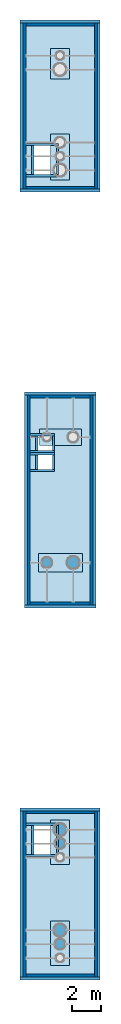
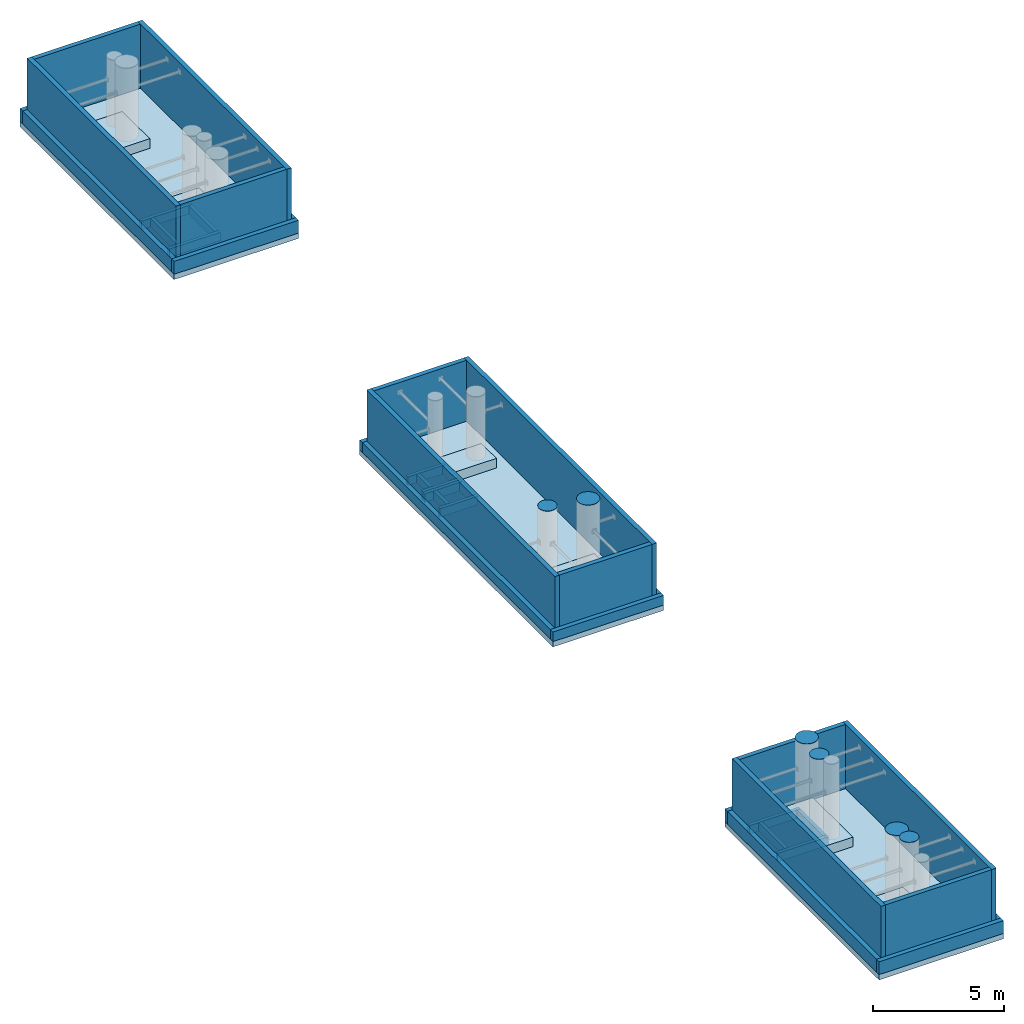
# One storey, part 3 of 7: 40 walls, 9 slabs, 6 discrete accessories.
"""IFC4 building model written with IfcOpenShell, lengths in metres."""

import ifcopenshell
import ifcopenshell.guid

model = None  # the IFC model being written
_history = None  # IfcOwnerHistory: only IFC2X3 demands one
_inside = {}  # id of a spatial element -> (the spatial element, [elements in it])
_under = {}  # id of a project, library or spatial element -> (it, [spatial elements below it])
_declared = {}  # id of a project -> (the project, [libraries it declares])
_typed = {}  # id of a type object -> (the type object, [elements of that type])
_made_of = {}  # id of a material, layer set ... -> (it, [elements and type objects made of it])


def new_model(schema):
    """Start an empty IFC model of exactly this schema.

    Asked for "IFC4X3", IfcOpenShell would pick the latest addendum, in which some entities
    have other attributes; the version numbers below select the first issue.
    IFC2X3 requires an IfcOwnerHistory on every rooted entity: one is made here for all.
    """
    global model, _history
    if schema == "IFC4X3":
        model = ifcopenshell.file(schema_version=(4, 3, 0, 0))
    else:
        model = ifcopenshell.file(schema=schema)
    _inside.clear()
    _under.clear()
    _declared.clear()
    _typed.clear()
    _made_of.clear()
    _history = None
    if model.schema == "IFC2X3":
        org = make("IfcOrganization", Name="unknown")
        user = make(
            "IfcPersonAndOrganization",
            ThePerson=make("IfcPerson", FamilyName="unknown"),
            TheOrganization=org,
        )
        app = make(
            "IfcApplication",
            ApplicationDeveloper=org,
            Version="unknown",
            ApplicationFullName="unknown",
            ApplicationIdentifier="unknown",
        )
        _history = make(
            "IfcOwnerHistory",
            OwningUser=user,
            OwningApplication=app,
            ChangeAction="ADDED",
            CreationDate=0,
        )
    return model


def make(cls, **values):
    """One entity of the class cls with the attributes given. An attribute that is None is left unset."""
    return model.create_entity(
        cls, **{name: value for name, value in values.items() if value is not None}
    )


def rooted(cls, **values):
    """An entity with a GlobalId (a new one), such as an element, a storey or a relation."""
    return make(cls, GlobalId=ifcopenshell.guid.new(), OwnerHistory=_history, **values)


def si_unit(unit_type, name, prefix=None):
    """IfcSIUnit, for example si_unit("LENGTHUNIT", "METRE", prefix="MILLI")."""
    return make("IfcSIUnit", UnitType=unit_type, Prefix=prefix, Name=name)


def assignment(units):
    """IfcUnitAssignment: the units of a project."""
    return None if units is None else make("IfcUnitAssignment", Units=units)


def point(xyz):
    """IfcCartesianPoint."""
    return None if xyz is None else make("IfcCartesianPoint", Coordinates=xyz)


def direction(xyz):
    """IfcDirection."""
    return None if xyz is None else make("IfcDirection", DirectionRatios=xyz)


def frame(location, z_axis=None, x_axis=None):
    """IfcAxis2Placement3D, a coordinate frame: its origin and axes. An axis left out is left unset."""
    return make(
        "IfcAxis2Placement3D",
        Location=point(location),
        Axis=direction(z_axis),
        RefDirection=direction(x_axis),
    )


def frame_2d(location, x_axis=None):
    """IfcAxis2Placement2D, a coordinate frame in the plane: its origin and x axis."""
    return make(
        "IfcAxis2Placement2D", Location=point(location), RefDirection=direction(x_axis)
    )


def origin():
    """The frame at (0, 0, 0) with its axes left unset."""
    return frame((0.0, 0.0, 0.0))


def place(relative_to, where):
    """IfcLocalPlacement: puts the frame where relative to a parent placement (None: the world)."""
    return make(
        "IfcLocalPlacement", PlacementRelTo=relative_to, RelativePlacement=where
    )


def context(
    kind, dimensions, precision=None, world=None, true_north=None, identifier=None
):
    """IfcGeometricRepresentationContext, for example the 3D "Model" context."""
    return make(
        "IfcGeometricRepresentationContext",
        ContextIdentifier=identifier,
        ContextType=kind,
        CoordinateSpaceDimension=dimensions,
        Precision=precision,
        WorldCoordinateSystem=world,
        TrueNorth=true_north,
    )


def subcontext(parent, identifier, kind, view, scale=None):
    """IfcGeometricRepresentationSubContext, for example "Body" below "Model"."""
    return make(
        "IfcGeometricRepresentationSubContext",
        ContextIdentifier=identifier,
        ContextType=kind,
        ParentContext=parent,
        TargetScale=scale,
        TargetView=view,
    )


def project(units=None, contexts=None):
    """IfcProject with its units and contexts."""
    return rooted(
        "IfcProject",
        Name="project",
        RepresentationContexts=contexts,
        UnitsInContext=assignment(units),
    )


def spatial(cls, under=None, at=None, **own):
    """A site, building, storey or space (cls), placed at a placement, below another one or the project."""
    s = rooted(cls, ObjectPlacement=at, **own)
    if under is not None:
        _under.setdefault(under.id(), (under, []))[1].append(s)
    return s


def polyline(points):
    """IfcPolyline through the points."""
    return make("IfcPolyline", Points=[point(p) for p in points])


def profile(cls, at=None, kind="AREA", **sizes):
    """A parametric profile (cls). Its sizes go by their IFC names, for example OverallWidth=200.0."""
    return make(cls, ProfileType=kind, Position=at, **sizes)


def rectangle(**sizes):
    """IfcRectangleProfileDef."""
    return profile("IfcRectangleProfileDef", **sizes)


def outline(outer, holes=None, kind="AREA"):
    """IfcArbitraryClosedProfileDef: a profile drawn as a closed curve; with holes, ...WithVoids."""
    if holes is None:
        return make("IfcArbitraryClosedProfileDef", ProfileType=kind, OuterCurve=outer)
    return make(
        "IfcArbitraryProfileDefWithVoids",
        ProfileType=kind,
        OuterCurve=outer,
        InnerCurves=holes,
    )


def extrude(swept, where, along, depth):
    """IfcExtrudedAreaSolid: the profile swept, set in the frame where, extruded along a direction by depth."""
    return make(
        "IfcExtrudedAreaSolid",
        SweptArea=swept,
        Position=where,
        ExtrudedDirection=direction(along),
        Depth=depth,
    )


def shape(context_of_items, identifier, shape_type, items):
    """IfcShapeRepresentation: the items that make up one representation, for example the "Body"."""
    return make(
        "IfcShapeRepresentation",
        ContextOfItems=context_of_items,
        RepresentationIdentifier=identifier,
        RepresentationType=shape_type,
        Items=items,
    )


def material(Name=None, Category=None):
    """IfcMaterial."""
    return make("IfcMaterial", Name=Name, Category=Category)


def layer(
    of_material, thickness, ventilated=None, Name=None, Category=None, Priority=None
):
    """IfcMaterialLayer: one layer of a wall or slab, of a material (None: an air gap)."""
    return make(
        "IfcMaterialLayer",
        Material=of_material,
        LayerThickness=thickness,
        IsVentilated=ventilated,
        Name=Name,
        Category=Category,
        Priority=Priority,
    )


def layer_set(layers, Name=None):
    """IfcMaterialLayerSet."""
    return make("IfcMaterialLayerSet", MaterialLayers=layers, LayerSetName=Name)


def made_of(thing, what):
    """Note that an element or type object is made of a material, layer set ...; save() writes the relation."""
    if what is not None:
        _made_of.setdefault(what.id(), (what, []))[1].append(thing)
    return thing


def type_object(cls, material=None, **own):
    """A type object (cls), such as IfcWallType, which elements share."""
    return made_of(rooted(cls, **own), material)


def element(
    cls,
    number,
    at=None,
    inside=None,
    cuts=None,
    type_object=None,
    material=None,
    context=None,
    identifier="Body",
    shape_type=None,
    held_by="IfcProductDefinitionShape",
    body=None,
    shapes=None,
    **own,
):
    """One element of the class cls, such as IfcWall. Its Tag is "e" and its number.

    at: its placement. inside: the storey or other place that contains it. cuts: it is an
    opening in that element (IfcRelVoidsElement). A single representation is given by context,
    identifier, shape_type and body (its items); several are given by shapes. held_by: the class
    of the entity that holds the representations. save() writes the other relations.
    """
    e = rooted(cls, Tag="e%d" % number, ObjectPlacement=at, **own)
    if body is not None:
        shapes = [shape(context, identifier, shape_type, body)]
    if shapes is not None:
        e.Representation = make(held_by, Representations=shapes)
    if inside is not None:
        _inside.setdefault(inside.id(), (inside, []))[1].append(e)
    if cuts is not None:
        rooted(
            "IfcRelVoidsElement", RelatingBuildingElement=cuts, RelatedOpeningElement=e
        )
    if type_object is not None:
        _typed.setdefault(type_object.id(), (type_object, []))[1].append(e)
    return made_of(e, material)


def aggregate(whole, parts):
    """IfcRelAggregates: a whole, such as a stair, and the parts it consists of."""
    return rooted("IfcRelAggregates", RelatingObject=whole, RelatedObjects=parts)


def save(model, path):
    """Write the relations noted so far, then the file.

    IfcRelAggregates (storeys below a building ...), IfcRelContainedInSpatialStructure (elements
    in a storey), IfcRelDefinesByType, IfcRelAssociatesMaterial and IfcRelDeclares: one each for
    every whole, place, type object, material and project.
    """
    for whole, parts in _under.values():
        aggregate(whole, parts)
    for where, things in _inside.values():
        rooted(
            "IfcRelContainedInSpatialStructure",
            RelatedElements=things,
            RelatingStructure=where,
        )
    for kind, things in _typed.values():
        rooted("IfcRelDefinesByType", RelatedObjects=things, RelatingType=kind)
    for what, things in _made_of.values():
        rooted("IfcRelAssociatesMaterial", RelatedObjects=things, RelatingMaterial=what)
    for by, libraries in _declared.values():
        rooted("IfcRelDeclares", RelatingContext=by, RelatedDefinitions=libraries)
    model.write(path)


model = new_model("IFC4")

# Units and contexts
model_context = context("Model", 3, precision=1e-05, world=origin(), true_north=direction((0.0, 1.0)))
body_context = subcontext(model_context, "Body", "Model", "MODEL_VIEW")
ifc_project = project(units=[si_unit("LENGTHUNIT", "METRE"), si_unit("AREAUNIT", "SQUARE_METRE"), si_unit("VOLUMEUNIT", "CUBIC_METRE"), si_unit("PLANEANGLEUNIT", "RADIAN"), si_unit("MASSUNIT", "GRAM", prefix="KILO")], contexts=[model_context])

# Site, building, storey
site_placement = place(None, origin())
site = spatial("IfcSite", under=ifc_project, at=site_placement, CompositionType="ELEMENT")
building_placement = place(site_placement, origin())
building = spatial("IfcBuilding", under=site, at=building_placement, Name="Basin Gate Institute", CompositionType="ELEMENT")
storey_placement = place(building_placement, frame((0.0, 0.0, 78.60009765625)))
storey = spatial("IfcBuildingStorey", under=building, at=storey_placement, Name="UPPER ROOF", CompositionType="ELEMENT", Elevation=78.60009765625)

# Slabs
ifc_material_1 = material(Name="Concrete 40 MPa", Category="concrete")
ifc_layer_1 = layer(ifc_material_1, 0.449951171875)
ifc_layer_set_1 = layer_set([ifc_layer_1], Name="Concrete 40 MPa")
slab_type_1 = type_object("IfcSlabType", Name="Exhaust pipe plinth PL4 R60", PredefinedType="ROOF", material=ifc_layer_set_1)
slab_1_placement = place(storey_placement, frame((0.0, 0.0, 0.25)))
element("IfcSlab", 1, at=slab_1_placement, inside=storey, type_object=slab_type_1, material=ifc_layer_set_1, Name="Exhaust pipe plinth PL4 WS 1", PredefinedType="ROOF", context=body_context, shape_type="SweptSolid", body=[
    extrude(outline(polyline([(62.800048828125, 35.60009765625), (64.10009765625, 35.60009765625), (64.10009765625, 38.64990234375), (62.800048828125, 38.64990234375), (62.800048828125, 35.60009765625)])), origin(), (0.0, 0.0, 1.0), 0.449951171875),
])
slab_2_placement = place(storey_placement, frame((0.0, 0.0, 0.25)))
element("IfcSlab", 2, at=slab_2_placement, inside=storey, type_object=slab_type_1, material=ifc_layer_set_1, Name="Exhaust pipe plinth PL4 WS 2", PredefinedType="ROOF", context=body_context, shape_type="SweptSolid", body=[
    extrude(outline(polyline([(62.800048828125, 42.5), (64.10009765625, 42.5), (64.10009765625, 45.550048828125), (62.800048828125, 45.550048828125), (62.800048828125, 42.5)])), origin(), (0.0, 0.0, 1.0), 0.449951171875),
])
slab_3_placement = place(storey_placement, frame((0.0, 0.0, 0.25)))
element("IfcSlab", 3, at=slab_3_placement, inside=storey, type_object=slab_type_1, material=ifc_layer_set_1, Name="Exhaust pipe plinth PL4 WM 1", PredefinedType="ROOF", context=body_context, shape_type="SweptSolid", body=[
    extrude(outline(polyline([(61.97509765625, 62.550048828125), (65.0, 62.550048828125), (65.0, 63.85009765625), (61.97509765625, 63.85009765625), (61.97509765625, 62.550048828125)])), origin(), (0.0, 0.0, 1.0), 0.449951171875),
])
slab_4_placement = place(storey_placement, frame((0.0, 0.0, 0.25)))
element("IfcSlab", 4, at=slab_4_placement, inside=storey, type_object=slab_type_1, material=ifc_layer_set_1, Name="Exhaust pipe plinth PL4 WM 2", PredefinedType="ROOF", context=body_context, shape_type="SweptSolid", body=[
    extrude(outline(polyline([(62.050048828125, 71.22509765625), (64.925048828125, 71.22509765625), (64.925048828125, 72.375), (62.050048828125, 72.375), (62.050048828125, 71.22509765625)])), origin(), (0.0, 0.0, 1.0), 0.449951171875),
])
slab_5_placement = place(storey_placement, frame((0.0, 0.0, 0.25)))
element("IfcSlab", 5, at=slab_5_placement, inside=storey, type_object=slab_type_1, material=ifc_layer_set_1, Name="Exhaust pipe plinth PL4 WN 1", PredefinedType="ROOF", context=body_context, shape_type="SweptSolid", body=[
    extrude(outline(polyline([(62.800048828125, 89.449951171875), (64.10009765625, 89.449951171875), (64.10009765625, 92.574951171875), (62.800048828125, 92.574951171875), (62.800048828125, 89.449951171875)])), origin(), (0.0, 0.0, 1.0), 0.449951171875),
])
slab_6_placement = place(storey_placement, frame((0.0, 0.0, 0.25)))
element("IfcSlab", 6, at=slab_6_placement, inside=storey, type_object=slab_type_1, material=ifc_layer_set_1, Name="Exhaust pipe plinth PL4 WN 2", PredefinedType="ROOF", context=body_context, shape_type="SweptSolid", body=[
    extrude(outline(polyline([(62.800048828125, 96.35009765625), (64.10009765625, 96.35009765625), (64.10009765625, 98.449951171875), (62.800048828125, 98.449951171875), (62.800048828125, 96.35009765625)])), origin(), (0.0, 0.0, 1.0), 0.449951171875),
])
ifc_material_2 = material(Name="Concrete 40 MPa", Category="concrete")
ifc_layer_2 = layer(ifc_material_2, 0.25)
ifc_layer_set_2 = layer_set([ifc_layer_2], Name="Concrete 40 MPa")
slab_type_2 = type_object("IfcSlabType", Name="Stack cap slab RS6 R60", PredefinedType="ROOF", material=ifc_layer_set_2)
slab_7_placement = place(storey_placement, origin())
element("IfcSlab", 7, at=slab_7_placement, inside=storey, type_object=slab_type_2, material=ifc_layer_set_2, Name="Stack cap slab RS6 WS", PredefinedType="ROOF", context=body_context, shape_type="SweptSolid", body=[
    extrude(outline(polyline([(66.199951171875, 34.60009765625), (60.699951171875, 34.60009765625), (60.699951171875, 46.39990234375), (66.199951171875, 46.39990234375), (66.199951171875, 34.60009765625)]), holes=[polyline([(61.64990234375, 43.199951171875), (63.199951171875, 43.199951171875), (63.199951171875, 45.199951171875), (61.64990234375, 45.199951171875), (61.64990234375, 43.199951171875)])]), origin(), (0.0, 0.0, 1.0), 0.25),
])
slab_8_placement = place(storey_placement, origin())
element("IfcSlab", 8, at=slab_8_placement, inside=storey, type_object=slab_type_2, material=ifc_layer_set_2, Name="Stack cap slab RS6 WM", PredefinedType="ROOF", context=body_context, shape_type="SweptSolid", body=[
    extrude(outline(polyline([(65.89990234375, 60.10009765625), (61.0, 60.10009765625), (61.0, 74.89990234375), (65.89990234375, 74.89990234375), (65.89990234375, 60.10009765625)]), holes=[polyline([(61.925048828125, 69.60009765625), (62.925048828125, 69.60009765625), (62.925048828125, 70.60009765625), (61.925048828125, 70.60009765625), (61.925048828125, 69.60009765625)]), polyline([(61.925048828125, 70.89990234375), (62.925048828125, 70.89990234375), (62.925048828125, 71.89990234375), (61.925048828125, 71.89990234375), (61.925048828125, 70.89990234375)])]), origin(), (0.0, 0.0, 1.0), 0.25),
])
slab_9_placement = place(storey_placement, origin())
element("IfcSlab", 9, at=slab_9_placement, inside=storey, type_object=slab_type_2, material=ifc_layer_set_2, Name="Stack cap slab RS6 WN", PredefinedType="ROOF", context=body_context, shape_type="SweptSolid", body=[
    extrude(outline(polyline([(66.199951171875, 88.60009765625), (60.699951171875, 88.60009765625), (60.699951171875, 100.39990234375), (66.199951171875, 100.39990234375), (66.199951171875, 88.60009765625)]), holes=[polyline([(61.64990234375, 89.800048828125), (63.199951171875, 89.800048828125), (63.199951171875, 91.800048828125), (61.64990234375, 91.800048828125), (61.64990234375, 89.800048828125)])]), origin(), (0.0, 0.0, 1.0), 0.25),
])

# Walls
ifc_material_3 = material(Name="Insulated aluminium louvre panel", Category="aluminium")
ifc_layer_3 = layer(ifc_material_3, 0.199951171875)
ifc_layer_set_3 = layer_set([ifc_layer_3], Name="Exhaust enclosure panel XS1")
wall_type_1 = type_object("IfcWallType", Name="Exhaust enclosure panel XS1", PredefinedType="SOLIDWALL", material=ifc_layer_set_3)
for number, where, z_axis, x_axis, name in (
    (10, (65.89990234375, 34.800048828125, 0.25), (0.0, 0.0, 1.0), (0.0, 1.0, 0.0), "Exhaust enclosure panel XS1 WS E"),
    (11, (61.0, 34.800048828125, 0.25), (0.0, 0.0, 1.0), (0.0, 1.0, 0.0), "Exhaust enclosure panel XS1 WS W"),
):
    element("IfcWall", number, at=place(storey_placement, frame(where, z_axis=z_axis, x_axis=x_axis)), inside=storey, type_object=wall_type_1, material=ifc_layer_set_3, Name=name, PredefinedType="SOLIDWALL", context=body_context, shape_type="SweptSolid", body=[
        extrude(rectangle(XDim=11.39990234375, YDim=0.199951171875, at=frame_2d((5.699951171875, 0.0))), origin(), (0.0, 0.0, 1.0), 3.0),
    ])
for number, where, z_axis, x_axis, name in (
    (12, (61.10009765625, 46.10009765625, 0.25), (0.0, 0.0, 1.0), (1.0, 0.0, 0.0), "Exhaust enclosure panel XS1 WS N"),
    (13, (61.10009765625, 34.89990234375, 0.25), (0.0, 0.0, 1.0), (1.0, 0.0, 0.0), "Exhaust enclosure panel XS1 WS S"),
):
    element("IfcWall", number, at=place(storey_placement, frame(where, z_axis=z_axis, x_axis=x_axis)), inside=storey, type_object=wall_type_1, material=ifc_layer_set_3, Name=name, PredefinedType="SOLIDWALL", context=body_context, shape_type="SweptSolid", body=[
        extrude(rectangle(XDim=4.699951171875, YDim=0.199951171875, at=frame_2d((2.35009765625, 0.0))), origin(), (0.0, 0.0, 1.0), 3.0),
    ])
for number, where, z_axis, x_axis, name in (
    (14, (65.60009765625, 60.300048828125, 0.25), (0.0, 0.0, 1.0), (0.0, 1.0, 0.0), "Exhaust enclosure panel XS1 WM E"),
    (15, (61.300048828125, 60.300048828125, 0.25), (0.0, 0.0, 1.0), (0.0, 1.0, 0.0), "Exhaust enclosure panel XS1 WM W"),
):
    element("IfcWall", number, at=place(storey_placement, frame(where, z_axis=z_axis, x_axis=x_axis)), inside=storey, type_object=wall_type_1, material=ifc_layer_set_3, Name=name, PredefinedType="SOLIDWALL", context=body_context, shape_type="SweptSolid", body=[
        extrude(rectangle(XDim=14.39990234375, YDim=0.199951171875, at=frame_2d((7.199951171875, 0.0))), origin(), (0.0, 0.0, 1.0), 2.849853515625),
    ])
for number, where, z_axis, x_axis, name in (
    (16, (61.39990234375, 74.60009765625, 0.25), (0.0, 0.0, 1.0), (1.0, 0.0, 0.0), "Exhaust enclosure panel XS1 WM N"),
    (17, (61.39990234375, 60.39990234375, 0.25), (0.0, 0.0, 1.0), (1.0, 0.0, 0.0), "Exhaust enclosure panel XS1 WM S"),
):
    element("IfcWall", number, at=place(storey_placement, frame(where, z_axis=z_axis, x_axis=x_axis)), inside=storey, type_object=wall_type_1, material=ifc_layer_set_3, Name=name, PredefinedType="SOLIDWALL", context=body_context, shape_type="SweptSolid", body=[
        extrude(rectangle(XDim=4.10009765625, YDim=0.199951171875, at=frame_2d((2.050048828125, 0.0))), origin(), (0.0, 0.0, 1.0), 2.849853515625),
    ])
for number, where, z_axis, x_axis, name in (
    (18, (65.89990234375, 88.800048828125, 0.25), (0.0, 0.0, 1.0), (0.0, 1.0, 0.0), "Exhaust enclosure panel XS1 WN E"),
    (19, (61.0, 88.800048828125, 0.25), (0.0, 0.0, 1.0), (0.0, 1.0, 0.0), "Exhaust enclosure panel XS1 WN W"),
):
    element("IfcWall", number, at=place(storey_placement, frame(where, z_axis=z_axis, x_axis=x_axis)), inside=storey, type_object=wall_type_1, material=ifc_layer_set_3, Name=name, PredefinedType="SOLIDWALL", context=body_context, shape_type="SweptSolid", body=[
        extrude(rectangle(XDim=11.39990234375, YDim=0.199951171875, at=frame_2d((5.699951171875, 0.0))), origin(), (0.0, 0.0, 1.0), 3.0),
    ])
for number, where, z_axis, x_axis, name in (
    (20, (61.10009765625, 100.10009765625, 0.25), (0.0, 0.0, 1.0), (1.0, 0.0, 0.0), "Exhaust enclosure panel XS1 WN N"),
    (21, (61.10009765625, 88.89990234375, 0.25), (0.0, 0.0, 1.0), (1.0, 0.0, 0.0), "Exhaust enclosure panel XS1 WN S"),
):
    element("IfcWall", number, at=place(storey_placement, frame(where, z_axis=z_axis, x_axis=x_axis)), inside=storey, type_object=wall_type_1, material=ifc_layer_set_3, Name=name, PredefinedType="SOLIDWALL", context=body_context, shape_type="SweptSolid", body=[
        extrude(rectangle(XDim=4.699951171875, YDim=0.199951171875, at=frame_2d((2.35009765625, 0.0))), origin(), (0.0, 0.0, 1.0), 3.0),
    ])
ifc_material_4 = material(Name="Concrete 40 MPa", Category="concrete")
ifc_layer_4 = layer(ifc_material_4, 0.199951171875)
ifc_layer_set_4 = layer_set([ifc_layer_4], Name="Concrete 40 MPa")
wall_type_2 = type_object("IfcWallType", Name="Parapet wall PA2", PredefinedType="PARAPET", material=ifc_layer_set_4)
wall_1_placement = place(storey_placement, frame((66.199951171875, 34.699951171875, 0.25), z_axis=(0.0, 0.0, 1.0), x_axis=(-1.0, 0.0, 0.0)))
element("IfcWall", 22, at=wall_1_placement, inside=storey, type_object=wall_type_2, material=ifc_layer_set_4, Name="Parapet wall PA2 UPPER ROOF WS1", PredefinedType="PARAPET", context=body_context, shape_type="SweptSolid", body=[
    extrude(rectangle(XDim=5.5, YDim=0.199951171875, at=frame_2d((2.75, 0.0))), origin(), (0.0, 0.0, 1.0), 0.599853515625),
])
wall_2_placement = place(storey_placement, frame((60.800048828125, 34.800048828125, 0.25), z_axis=(0.0, 0.0, 1.0), x_axis=(0.0, 1.0, 0.0)))
element("IfcWall", 23, at=wall_2_placement, inside=storey, type_object=wall_type_2, material=ifc_layer_set_4, Name="Parapet wall PA2 UPPER ROOF WS2", PredefinedType="PARAPET", context=body_context, shape_type="SweptSolid", body=[
    extrude(rectangle(XDim=11.39990234375, YDim=0.199951171875, at=frame_2d((5.699951171875, 0.0))), origin(), (0.0, 0.0, 1.0), 0.599853515625),
])
wall_3_placement = place(storey_placement, frame((60.699951171875, 46.300048828125, 0.25), z_axis=(0.0, 0.0, 1.0), x_axis=(1.0, 0.0, 0.0)))
element("IfcWall", 24, at=wall_3_placement, inside=storey, type_object=wall_type_2, material=ifc_layer_set_4, Name="Parapet wall PA2 UPPER ROOF WS3", PredefinedType="PARAPET", context=body_context, shape_type="SweptSolid", body=[
    extrude(rectangle(XDim=5.5, YDim=0.199951171875, at=frame_2d((2.75, 0.0))), origin(), (0.0, 0.0, 1.0), 0.599853515625),
])
wall_4_placement = place(storey_placement, frame((66.10009765625, 46.199951171875, 0.25), z_axis=(0.0, 0.0, 1.0), x_axis=(0.0, -1.0, 0.0)))
element("IfcWall", 25, at=wall_4_placement, inside=storey, type_object=wall_type_2, material=ifc_layer_set_4, Name="Parapet wall PA2 UPPER ROOF WS4", PredefinedType="PARAPET", context=body_context, shape_type="SweptSolid", body=[
    extrude(rectangle(XDim=11.39990234375, YDim=0.199951171875, at=frame_2d((5.699951171875, 0.0))), origin(), (0.0, 0.0, 1.0), 0.599853515625),
])
wall_5_placement = place(storey_placement, frame((66.199951171875, 88.699951171875, 0.25), z_axis=(0.0, 0.0, 1.0), x_axis=(-1.0, 0.0, 0.0)))
element("IfcWall", 26, at=wall_5_placement, inside=storey, type_object=wall_type_2, material=ifc_layer_set_4, Name="Parapet wall PA2 UPPER ROOF WN1", PredefinedType="PARAPET", context=body_context, shape_type="SweptSolid", body=[
    extrude(rectangle(XDim=5.5, YDim=0.199951171875, at=frame_2d((2.75, 0.0))), origin(), (0.0, 0.0, 1.0), 0.599853515625),
])
wall_6_placement = place(storey_placement, frame((60.800048828125, 88.800048828125, 0.25), z_axis=(0.0, 0.0, 1.0), x_axis=(0.0, 1.0, 0.0)))
element("IfcWall", 27, at=wall_6_placement, inside=storey, type_object=wall_type_2, material=ifc_layer_set_4, Name="Parapet wall PA2 UPPER ROOF WN2", PredefinedType="PARAPET", context=body_context, shape_type="SweptSolid", body=[
    extrude(rectangle(XDim=11.39990234375, YDim=0.199951171875, at=frame_2d((5.699951171875, 0.0))), origin(), (0.0, 0.0, 1.0), 0.599853515625),
])
wall_7_placement = place(storey_placement, frame((60.699951171875, 100.300048828125, 0.25), z_axis=(0.0, 0.0, 1.0), x_axis=(1.0, 0.0, 0.0)))
element("IfcWall", 28, at=wall_7_placement, inside=storey, type_object=wall_type_2, material=ifc_layer_set_4, Name="Parapet wall PA2 UPPER ROOF WN3", PredefinedType="PARAPET", context=body_context, shape_type="SweptSolid", body=[
    extrude(rectangle(XDim=5.5, YDim=0.199951171875, at=frame_2d((2.75, 0.0))), origin(), (0.0, 0.0, 1.0), 0.599853515625),
])
wall_8_placement = place(storey_placement, frame((66.10009765625, 100.199951171875, 0.25), z_axis=(0.0, 0.0, 1.0), x_axis=(0.0, -1.0, 0.0)))
element("IfcWall", 29, at=wall_8_placement, inside=storey, type_object=wall_type_2, material=ifc_layer_set_4, Name="Parapet wall PA2 UPPER ROOF WN4", PredefinedType="PARAPET", context=body_context, shape_type="SweptSolid", body=[
    extrude(rectangle(XDim=11.39990234375, YDim=0.199951171875, at=frame_2d((5.699951171875, 0.0))), origin(), (0.0, 0.0, 1.0), 0.599853515625),
])
ifc_material_5 = material(Name="Concrete 40 MPa", Category="concrete")
ifc_layer_5 = layer(ifc_material_5, 0.199951171875)
ifc_layer_set_5 = layer_set([ifc_layer_5], Name="Concrete 40 MPa")
wall_type_3 = type_object("IfcWallType", Name="Parapet wall PA4", PredefinedType="PARAPET", material=ifc_layer_set_5)
wall_9_placement = place(storey_placement, frame((65.89990234375, 60.199951171875, 0.25), z_axis=(0.0, 0.0, 1.0), x_axis=(-1.0, 0.0, 0.0)))
element("IfcWall", 30, at=wall_9_placement, inside=storey, type_object=wall_type_3, material=ifc_layer_set_5, Name="Parapet wall PA4 UPPER ROOF WM1", PredefinedType="PARAPET", context=body_context, shape_type="SweptSolid", body=[
    extrude(rectangle(XDim=4.89990234375, YDim=0.199951171875, at=frame_2d((2.449951171875, 0.0))), origin(), (0.0, 0.0, 1.0), 0.449951171875),
])
wall_10_placement = place(storey_placement, frame((61.10009765625, 60.300048828125, 0.25), z_axis=(0.0, 0.0, 1.0), x_axis=(0.0, 1.0, 0.0)))
element("IfcWall", 31, at=wall_10_placement, inside=storey, type_object=wall_type_3, material=ifc_layer_set_5, Name="Parapet wall PA4 UPPER ROOF WM2", PredefinedType="PARAPET", context=body_context, shape_type="SweptSolid", body=[
    extrude(rectangle(XDim=14.39990234375, YDim=0.199951171875, at=frame_2d((7.199951171875, 0.0))), origin(), (0.0, 0.0, 1.0), 0.449951171875),
])
wall_11_placement = place(storey_placement, frame((61.0, 74.800048828125, 0.25), z_axis=(0.0, 0.0, 1.0), x_axis=(1.0, 0.0, 0.0)))
element("IfcWall", 32, at=wall_11_placement, inside=storey, type_object=wall_type_3, material=ifc_layer_set_5, Name="Parapet wall PA4 UPPER ROOF WM3", PredefinedType="PARAPET", context=body_context, shape_type="SweptSolid", body=[
    extrude(rectangle(XDim=4.89990234375, YDim=0.199951171875, at=frame_2d((2.449951171875, 0.0))), origin(), (0.0, 0.0, 1.0), 0.449951171875),
])
wall_12_placement = place(storey_placement, frame((65.800048828125, 74.699951171875, 0.25), z_axis=(0.0, 0.0, 1.0), x_axis=(0.0, -1.0, 0.0)))
element("IfcWall", 33, at=wall_12_placement, inside=storey, type_object=wall_type_3, material=ifc_layer_set_5, Name="Parapet wall PA4 UPPER ROOF WM4", PredefinedType="PARAPET", context=body_context, shape_type="SweptSolid", body=[
    extrude(rectangle(XDim=14.39990234375, YDim=0.199951171875, at=frame_2d((7.199951171875, 0.0))), origin(), (0.0, 0.0, 1.0), 0.449951171875),
])
ifc_material_6 = material(Name="Concrete 40 MPa", Category="concrete")
ifc_layer_6 = layer(ifc_material_6, 0.14990234375)
ifc_layer_set_6 = layer_set([ifc_layer_6], Name="Concrete 40 MPa")
wall_type_4 = type_object("IfcWallType", Name="Roof duct curb CU1", PredefinedType="PARAPET", material=ifc_layer_set_6)
for number, where, z_axis, x_axis, name in (
    (34, (61.10009765625, 43.125, 0.25), (0.0, 0.0, 1.0), (1.0, 0.0, 0.0), "Roof duct curb CU1 WS stack"),
    (35, (61.10009765625, 45.27490234375, 0.25), (0.0, 0.0, 1.0), (1.0, 0.0, 0.0), "Roof duct curb CU1 WS stack"),
):
    element("IfcWall", number, at=place(storey_placement, frame(where, z_axis=z_axis, x_axis=x_axis)), inside=storey, type_object=wall_type_4, material=ifc_layer_set_6, Name=name, PredefinedType="PARAPET", context=body_context, shape_type="SweptSolid", body=[
        extrude(rectangle(XDim=2.25, YDim=0.14990234375, at=frame_2d((1.125, 0.0))), origin(), (0.0, 0.0, 1.0), 0.39990234375),
    ])
for number, where, z_axis, x_axis, name in (
    (36, (61.574951171875, 43.199951171875, 0.25), (0.0, 0.0, 1.0), (0.0, 1.0, 0.0), "Roof duct curb CU1 WS stack"),
    (37, (63.27490234375, 43.199951171875, 0.25), (0.0, 0.0, 1.0), (0.0, 1.0, 0.0), "Roof duct curb CU1 WS stack"),
):
    element("IfcWall", number, at=place(storey_placement, frame(where, z_axis=z_axis, x_axis=x_axis)), inside=storey, type_object=wall_type_4, material=ifc_layer_set_6, Name=name, PredefinedType="PARAPET", context=body_context, shape_type="SweptSolid", body=[
        extrude(rectangle(XDim=2.0, YDim=0.14990234375, at=frame_2d((1.0, 0.0))), origin(), (0.0, 0.0, 1.0), 0.39990234375),
    ])
for number, where, z_axis, x_axis, name in (
    (38, (61.39990234375, 69.52490234375, 0.25), (0.0, 0.0, 1.0), (1.0, 0.0, 0.0), "Roof duct curb CU1 WM stack"),
    (39, (61.39990234375, 70.675048828125, 0.25), (0.0, 0.0, 1.0), (1.0, 0.0, 0.0), "Roof duct curb CU1 WM stack"),
):
    element("IfcWall", number, at=place(storey_placement, frame(where, z_axis=z_axis, x_axis=x_axis)), inside=storey, type_object=wall_type_4, material=ifc_layer_set_6, Name=name, PredefinedType="PARAPET", context=body_context, shape_type="SweptSolid", body=[
        extrude(rectangle(XDim=1.675048828125, YDim=0.14990234375, at=frame_2d((0.83740234375, 0.0))), origin(), (0.0, 0.0, 1.0), 0.39990234375),
    ])
for number, where, z_axis, x_axis, name in (
    (40, (61.85009765625, 69.60009765625, 0.25), (0.0, 0.0, 1.0), (0.0, 1.0, 0.0), "Roof duct curb CU1 WM stack"),
    (41, (63.0, 69.60009765625, 0.25), (0.0, 0.0, 1.0), (0.0, 1.0, 0.0), "Roof duct curb CU1 WM stack"),
):
    element("IfcWall", number, at=place(storey_placement, frame(where, z_axis=z_axis, x_axis=x_axis)), inside=storey, type_object=wall_type_4, material=ifc_layer_set_6, Name=name, PredefinedType="PARAPET", context=body_context, shape_type="SweptSolid", body=[
        extrude(rectangle(XDim=1.0, YDim=0.14990234375, at=frame_2d((0.5, 0.0))), origin(), (0.0, 0.0, 1.0), 0.39990234375),
    ])
for number, where, z_axis, x_axis, name in (
    (42, (61.39990234375, 70.824951171875, 0.25), (0.0, 0.0, 1.0), (1.0, 0.0, 0.0), "Roof duct curb CU1 WM stack"),
    (43, (61.39990234375, 71.97509765625, 0.25), (0.0, 0.0, 1.0), (1.0, 0.0, 0.0), "Roof duct curb CU1 WM stack"),
):
    element("IfcWall", number, at=place(storey_placement, frame(where, z_axis=z_axis, x_axis=x_axis)), inside=storey, type_object=wall_type_4, material=ifc_layer_set_6, Name=name, PredefinedType="PARAPET", context=body_context, shape_type="SweptSolid", body=[
        extrude(rectangle(XDim=1.675048828125, YDim=0.14990234375, at=frame_2d((0.83740234375, 0.0))), origin(), (0.0, 0.0, 1.0), 0.39990234375),
    ])
for number, where, z_axis, x_axis, name in (
    (44, (61.85009765625, 70.89990234375, 0.25), (0.0, 0.0, 1.0), (0.0, 1.0, 0.0), "Roof duct curb CU1 WM stack"),
    (45, (63.0, 70.89990234375, 0.25), (0.0, 0.0, 1.0), (0.0, 1.0, 0.0), "Roof duct curb CU1 WM stack"),
):
    element("IfcWall", number, at=place(storey_placement, frame(where, z_axis=z_axis, x_axis=x_axis)), inside=storey, type_object=wall_type_4, material=ifc_layer_set_6, Name=name, PredefinedType="PARAPET", context=body_context, shape_type="SweptSolid", body=[
        extrude(rectangle(XDim=1.0, YDim=0.14990234375, at=frame_2d((0.5, 0.0))), origin(), (0.0, 0.0, 1.0), 0.39990234375),
    ])
for number, where, z_axis, x_axis, name in (
    (46, (61.10009765625, 89.72509765625, 0.25), (0.0, 0.0, 1.0), (1.0, 0.0, 0.0), "Roof duct curb CU1 WN stack"),
    (47, (61.10009765625, 91.875, 0.25), (0.0, 0.0, 1.0), (1.0, 0.0, 0.0), "Roof duct curb CU1 WN stack"),
):
    element("IfcWall", number, at=place(storey_placement, frame(where, z_axis=z_axis, x_axis=x_axis)), inside=storey, type_object=wall_type_4, material=ifc_layer_set_6, Name=name, PredefinedType="PARAPET", context=body_context, shape_type="SweptSolid", body=[
        extrude(rectangle(XDim=2.25, YDim=0.14990234375, at=frame_2d((1.125, 0.0))), origin(), (0.0, 0.0, 1.0), 0.39990234375),
    ])
for number, where, z_axis, x_axis, name in (
    (48, (61.574951171875, 89.800048828125, 0.25), (0.0, 0.0, 1.0), (0.0, 1.0, 0.0), "Roof duct curb CU1 WN stack"),
    (49, (63.27490234375, 89.800048828125, 0.25), (0.0, 0.0, 1.0), (0.0, 1.0, 0.0), "Roof duct curb CU1 WN stack"),
):
    element("IfcWall", number, at=place(storey_placement, frame(where, z_axis=z_axis, x_axis=x_axis)), inside=storey, type_object=wall_type_4, material=ifc_layer_set_6, Name=name, PredefinedType="PARAPET", context=body_context, shape_type="SweptSolid", body=[
        extrude(rectangle(XDim=2.0, YDim=0.14990234375, at=frame_2d((1.0, 0.0))), origin(), (0.0, 0.0, 1.0), 0.39990234375),
    ])

# Discrete accessories
ifc_material_7 = material(Name="Structural steel SN490", Category="steel")
discrete_accessory_type_1 = type_object("IfcDiscreteAccessoryType", Name="Exhaust pipe cap plate PC750", PredefinedType="BRACKET", material=ifc_material_7)
discrete_accessory_1_placement = place(storey_placement, frame((0.0, 0.0, 4.179931640625)))
element("IfcDiscreteAccessory", 50, at=discrete_accessory_1_placement, inside=storey, type_object=discrete_accessory_type_1, material=ifc_material_7, Name="Exhaust pipe EX2 WM 1 cap plate", PredefinedType="BRACKET", context=body_context, shape_type="SweptSolid", body=[
    extrude(outline(polyline([(62.925048828125, 63.199951171875), (62.917724609375, 63.273193359375), (62.896484375, 63.343505859375), (62.86181640625, 63.408203125), (62.815185546875, 63.465087890625), (62.75830078125, 63.51171875), (62.693603515625, 63.54638671875), (62.623291015625, 63.56787109375), (62.550048828125, 63.574951171875), (62.476806640625, 63.56787109375), (62.406494140625, 63.54638671875), (62.341796875, 63.51171875), (62.284912109375, 63.465087890625), (62.23828125, 63.408203125), (62.20361328125, 63.343505859375), (62.18212890625, 63.273193359375), (62.175048828125, 63.199951171875), (62.18212890625, 63.126708984375), (62.20361328125, 63.056396484375), (62.23828125, 62.99169921875), (62.284912109375, 62.934814453125), (62.341796875, 62.88818359375), (62.406494140625, 62.853515625), (62.476806640625, 62.832275390625), (62.550048828125, 62.824951171875), (62.623291015625, 62.832275390625), (62.693603515625, 62.853515625), (62.75830078125, 62.88818359375), (62.815185546875, 62.934814453125), (62.86181640625, 62.99169921875), (62.896484375, 63.056396484375), (62.917724609375, 63.126708984375), (62.925048828125, 63.199951171875)])), origin(), (0.0, 0.0, 1.0), 0.02001953125),
])
discrete_accessory_2_placement = place(storey_placement, frame((0.0, 0.0, 4.22998046875)))
element("IfcDiscreteAccessory", 51, at=discrete_accessory_2_placement, inside=storey, type_object=discrete_accessory_type_1, material=ifc_material_7, Name="Exhaust pipe EX2 WS 2 cap plate", PredefinedType="BRACKET", context=body_context, shape_type="SweptSolid", body=[
    extrude(outline(polyline([(63.824951171875, 37.050048828125), (63.81787109375, 37.123291015625), (63.79638671875, 37.193603515625), (63.76171875, 37.25830078125), (63.715087890625, 37.315185546875), (63.658203125, 37.36181640625), (63.593505859375, 37.396484375), (63.523193359375, 37.417724609375), (63.449951171875, 37.425048828125), (63.376708984375, 37.417724609375), (63.306396484375, 37.396484375), (63.24169921875, 37.36181640625), (63.184814453125, 37.315185546875), (63.13818359375, 37.25830078125), (63.103515625, 37.193603515625), (63.082275390625, 37.123291015625), (63.074951171875, 37.050048828125), (63.082275390625, 36.976806640625), (63.103515625, 36.906494140625), (63.13818359375, 36.841796875), (63.184814453125, 36.784912109375), (63.24169921875, 36.73828125), (63.306396484375, 36.70361328125), (63.376708984375, 36.68212890625), (63.449951171875, 36.675048828125), (63.523193359375, 36.68212890625), (63.593505859375, 36.70361328125), (63.658203125, 36.73828125), (63.715087890625, 36.784912109375), (63.76171875, 36.841796875), (63.79638671875, 36.906494140625), (63.81787109375, 36.976806640625), (63.824951171875, 37.050048828125)])), origin(), (0.0, 0.0, 1.0), 0.02001953125),
])
discrete_accessory_3_placement = place(storey_placement, frame((0.0, 0.0, 3.929931640625)))
element("IfcDiscreteAccessory", 52, at=discrete_accessory_3_placement, inside=storey, type_object=discrete_accessory_type_1, material=ifc_material_7, Name="Exhaust pipe EX2 WS 5 cap plate", PredefinedType="BRACKET", context=body_context, shape_type="SweptSolid", body=[
    extrude(outline(polyline([(63.824951171875, 43.949951171875), (63.81787109375, 44.023193359375), (63.79638671875, 44.093505859375), (63.76171875, 44.158203125), (63.715087890625, 44.215087890625), (63.658203125, 44.26171875), (63.593505859375, 44.29638671875), (63.523193359375, 44.31787109375), (63.449951171875, 44.324951171875), (63.376708984375, 44.31787109375), (63.306396484375, 44.29638671875), (63.24169921875, 44.26171875), (63.184814453125, 44.215087890625), (63.13818359375, 44.158203125), (63.103515625, 44.093505859375), (63.082275390625, 44.023193359375), (63.074951171875, 43.949951171875), (63.082275390625, 43.876708984375), (63.103515625, 43.806396484375), (63.13818359375, 43.74169921875), (63.184814453125, 43.684814453125), (63.24169921875, 43.63818359375), (63.306396484375, 43.603515625), (63.376708984375, 43.582275390625), (63.449951171875, 43.574951171875), (63.523193359375, 43.582275390625), (63.593505859375, 43.603515625), (63.658203125, 43.63818359375), (63.715087890625, 43.684814453125), (63.76171875, 43.74169921875), (63.79638671875, 43.806396484375), (63.81787109375, 43.876708984375), (63.824951171875, 43.949951171875)])), origin(), (0.0, 0.0, 1.0), 0.02001953125),
])
ifc_material_8 = material(Name="Structural steel SN490", Category="steel")
discrete_accessory_type_2 = type_object("IfcDiscreteAccessoryType", Name="Exhaust pipe cap plate PC900", PredefinedType="BRACKET", material=ifc_material_8)
discrete_accessory_4_placement = place(storey_placement, frame((0.0, 0.0, 3.8798828125)))
element("IfcDiscreteAccessory", 53, at=discrete_accessory_4_placement, inside=storey, type_object=discrete_accessory_type_2, material=ifc_material_8, Name="Exhaust pipe EX3 WM 2 cap plate", PredefinedType="BRACKET", context=body_context, shape_type="SweptSolid", body=[
    extrude(outline(polyline([(64.800048828125, 63.199951171875), (64.79150390625, 63.287841796875), (64.765625, 63.372314453125), (64.72412109375, 63.449951171875), (64.668212890625, 63.518310546875), (64.60009765625, 63.57421875), (64.522216796875, 63.61572265625), (64.437744140625, 63.641357421875), (64.35009765625, 63.64990234375), (64.26220703125, 63.641357421875), (64.177734375, 63.61572265625), (64.10009765625, 63.57421875), (64.03173828125, 63.518310546875), (63.975830078125, 63.449951171875), (63.934326171875, 63.372314453125), (63.90869140625, 63.287841796875), (63.89990234375, 63.199951171875), (63.90869140625, 63.1123046875), (63.934326171875, 63.02783203125), (63.975830078125, 62.949951171875), (64.03173828125, 62.8818359375), (64.10009765625, 62.82568359375), (64.177734375, 62.7841796875), (64.26220703125, 62.758544921875), (64.35009765625, 62.75), (64.437744140625, 62.758544921875), (64.522216796875, 62.7841796875), (64.60009765625, 62.82568359375), (64.668212890625, 62.8818359375), (64.72412109375, 62.949951171875), (64.765625, 63.02783203125), (64.79150390625, 63.1123046875), (64.800048828125, 63.199951171875)])), origin(), (0.0, 0.0, 1.0), 0.02001953125),
])
discrete_accessory_5_placement = place(storey_placement, frame((0.0, 0.0, 4.02978515625)))
element("IfcDiscreteAccessory", 54, at=discrete_accessory_5_placement, inside=storey, type_object=discrete_accessory_type_2, material=ifc_material_8, Name="Exhaust pipe EX3 WS 3 cap plate", PredefinedType="BRACKET", context=body_context, shape_type="SweptSolid", body=[
    extrude(outline(polyline([(63.89990234375, 38.0), (63.891357421875, 38.087890625), (63.86572265625, 38.172119140625), (63.82421875, 38.25), (63.768310546875, 38.318115234375), (63.699951171875, 38.374267578125), (63.622314453125, 38.415771484375), (63.537841796875, 38.44140625), (63.449951171875, 38.449951171875), (63.3623046875, 38.44140625), (63.27783203125, 38.415771484375), (63.199951171875, 38.374267578125), (63.1318359375, 38.318115234375), (63.07568359375, 38.25), (63.0341796875, 38.172119140625), (63.008544921875, 38.087890625), (63.0, 38.0), (63.008544921875, 37.912109375), (63.0341796875, 37.827880859375), (63.07568359375, 37.75), (63.1318359375, 37.681884765625), (63.199951171875, 37.625732421875), (63.27783203125, 37.584228515625), (63.3623046875, 37.55859375), (63.449951171875, 37.550048828125), (63.537841796875, 37.55859375), (63.622314453125, 37.584228515625), (63.699951171875, 37.625732421875), (63.768310546875, 37.681884765625), (63.82421875, 37.75), (63.86572265625, 37.827880859375), (63.891357421875, 37.912109375), (63.89990234375, 38.0)])), origin(), (0.0, 0.0, 1.0), 0.02001953125),
])
discrete_accessory_6_placement = place(storey_placement, frame((0.0, 0.0, 4.1298828125)))
element("IfcDiscreteAccessory", 55, at=discrete_accessory_6_placement, inside=storey, type_object=discrete_accessory_type_2, material=ifc_material_8, Name="Exhaust pipe EX3 WS 6 cap plate", PredefinedType="BRACKET", context=body_context, shape_type="SweptSolid", body=[
    extrude(outline(polyline([(63.89990234375, 44.89990234375), (63.891357421875, 44.98779296875), (63.86572265625, 45.072265625), (63.82421875, 45.14990234375), (63.768310546875, 45.21826171875), (63.699951171875, 45.274169921875), (63.622314453125, 45.315673828125), (63.537841796875, 45.34130859375), (63.449951171875, 45.35009765625), (63.3623046875, 45.34130859375), (63.27783203125, 45.315673828125), (63.199951171875, 45.274169921875), (63.1318359375, 45.21826171875), (63.07568359375, 45.14990234375), (63.0341796875, 45.072265625), (63.008544921875, 44.98779296875), (63.0, 44.89990234375), (63.008544921875, 44.812255859375), (63.0341796875, 44.727783203125), (63.07568359375, 44.64990234375), (63.1318359375, 44.581787109375), (63.199951171875, 44.52587890625), (63.27783203125, 44.484375), (63.3623046875, 44.45849609375), (63.449951171875, 44.449951171875), (63.537841796875, 44.45849609375), (63.622314453125, 44.484375), (63.699951171875, 44.52587890625), (63.768310546875, 44.581787109375), (63.82421875, 44.64990234375), (63.86572265625, 44.727783203125), (63.891357421875, 44.812255859375), (63.89990234375, 44.89990234375)])), origin(), (0.0, 0.0, 1.0), 0.02001953125),
])

save(model, "model.ifc")
